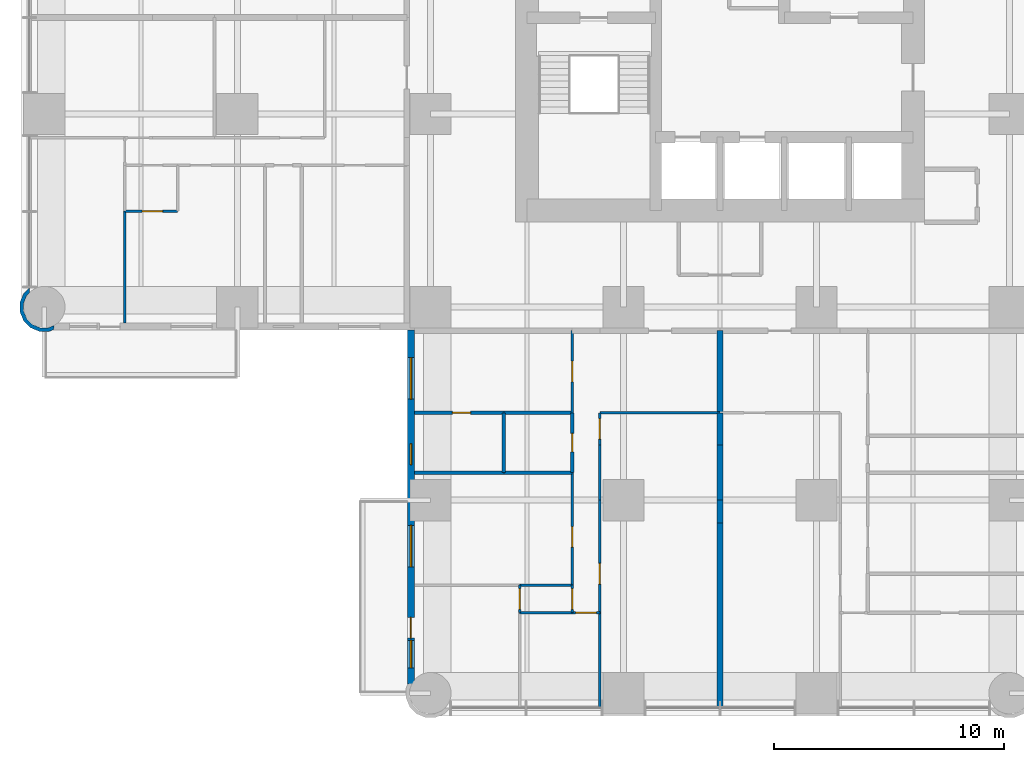
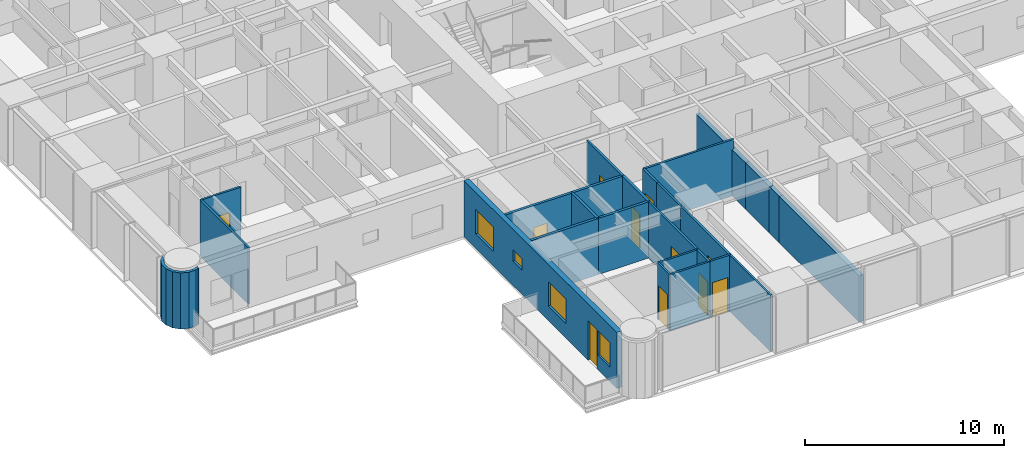
# One storey, part 7 of 17: 27 walls, 11 doors, 4 windows, 15 openings.
"""IFC4 building model written with IfcOpenShell, lengths in metres."""

from ifc_helpers import new_model, si_unit, direction, frame, frame_2d, origin, place, context, subcontext, project, spatial, polyline, rectangle, outline, extrude, material, layer, layer_set, type_object, element, fill, save


model = new_model("IFC4")

# Units and contexts
model_context = context("Model", 3, precision=1e-05, world=origin(), true_north=direction((0.0, 1.0)))
body_context = subcontext(model_context, "Body", "Model", "MODEL_VIEW")
ifc_project = project(units=[si_unit("LENGTHUNIT", "METRE"), si_unit("AREAUNIT", "SQUARE_METRE"), si_unit("VOLUMEUNIT", "CUBIC_METRE"), si_unit("PLANEANGLEUNIT", "RADIAN"), si_unit("MASSUNIT", "GRAM", prefix="KILO")], contexts=[model_context])

# Site, building, storey
site_placement = place(None, origin())
site = spatial("IfcSite", under=ifc_project, at=site_placement, CompositionType="ELEMENT")
building_placement = place(site_placement, origin())
building = spatial("IfcBuilding", under=site, at=building_placement, Name="Torre Alcanfor", CompositionType="ELEMENT")
storey_placement = place(building_placement, frame((0.0, 0.0, 41.699951171875)))
storey = spatial("IfcBuildingStorey", under=building, at=storey_placement, Name="L09", CompositionType="ELEMENT", Elevation=41.699951171875)

# Wall
ifc_material_1 = material(Name="Gypsum board on steel studs", Category="steel")
ifc_layer_1 = layer(ifc_material_1, 0.1201171875)
ifc_layer_set_1 = layer_set([ifc_layer_1], Name="Apartment partition 120")
wall_type_1 = type_object("IfcWallType", Name="Apartment partition 120", PredefinedType="PARTITIONING", material=ifc_layer_set_1)
wall_1_placement = place(storey_placement, frame((29.39990234375, 12.199951171875, 0.0), z_axis=(0.0, 0.0, 1.0), x_axis=(-1.0, 0.0, 0.0)))
element("IfcWall", 1, at=wall_1_placement, inside=storey, type_object=wall_type_1, Name="Partition L09-S2-ZAG / L09-S2-LAUND", PredefinedType="PARTITIONING", context=body_context, shape_type="SweptSolid", body=[
    extrude(rectangle(XDim=5.22900390625, YDim=0.1201171875, at=frame_2d((2.614501953125, 0.0))), origin(), (0.0, 0.0, 1.0), 3.449951171875),
])

# Wall, opening, door
wall_2_placement = place(storey_placement, frame((24.1708984375, 10.800048828125, 0.0), z_axis=(0.0, 0.0, 1.0), x_axis=(0.0, 1.0, 0.0)))
wall_2 = element("IfcWall", 2, at=wall_2_placement, inside=storey, type_object=wall_type_1, Name="Partition L09-S2-LAUND / L09-S2-HALL", PredefinedType="PARTITIONING", context=body_context, shape_type="SweptSolid", body=[
    extrude(rectangle(XDim=1.39990234375, YDim=0.1201171875, at=frame_2d((0.699951171875, 0.0))), origin(), (0.0, 0.0, 1.0), 3.449951171875),
])
opening_1_placement = place(wall_2_placement, frame((0.25, 0.0, 0.0)))
opening_1 = element("IfcOpeningElement", 3, at=opening_1_placement, cuts=wall_2, Name="Opening D-R1", PredefinedType="OPENING", context=body_context, shape_type="SweptSolid", body=[
    extrude(rectangle(XDim=0.89990234375, YDim=2.10009765625, at=frame_2d((0.449951171875, 1.050048828125))), frame((0.0, 0.070068359375, 0.0), z_axis=(0.0, -1.0, 0.0), x_axis=(1.0, 0.0, 0.0)), (0.0, 0.0, 1.0), 0.14013671875),
])
ifc_material_2 = material(Name="Timber", Category="wood")
door_type_1 = type_object("IfcDoorType", Name="Internal door 900x2100", OperationType="SINGLE_SWING_LEFT", PredefinedType="DOOR", material=ifc_material_2)
door_1_placement = place(opening_1_placement, frame((0.89990234375, 0.0, 0.0), z_axis=(0.0, 0.0, 1.0), x_axis=(-1.0, 0.0, 0.0)))
door_1 = element("IfcDoor", 4, at=door_1_placement, inside=storey, type_object=door_type_1, Name="Door L09-S2 laund", OperationType="SINGLE_SWING_RIGHT", OverallHeight=2.10009765625, OverallWidth=0.89990234375, PredefinedType="DOOR", context=body_context, shape_type="SweptSolid", body=[
    extrude(rectangle(XDim=0.89990234375, YDim=2.10009765625, at=frame_2d((0.449951171875, 1.050048828125))), frame((0.0, 0.025146484375, 0.0), z_axis=(0.0, -1.0, 0.0), x_axis=(1.0, 0.0, 0.0)), (0.0, 0.0, 1.0), 0.050048828125),
])
fill(opening_1, door_1)

# Wall
wall_3_placement = place(storey_placement, frame((24.1708984375, 8.39990234375, 0.0), z_axis=(0.0, 0.0, 1.0), x_axis=(0.0, 1.0, 0.0)))
element("IfcWall", 5, at=wall_3_placement, inside=storey, type_object=wall_type_1, Name="Partition L09-S2-KITCHEN / L09-S2-HALL", PredefinedType="PARTITIONING", context=body_context, shape_type="SweptSolid", body=[
    extrude(rectangle(XDim=2.400146484375, YDim=0.1201171875, at=frame_2d((1.2001953125, 0.0))), origin(), (0.0, 0.0, 1.0), 3.449951171875),
])

# Wall, opening, door
wall_4_placement = place(storey_placement, frame((24.1708984375, 3.5, 0.0), z_axis=(0.0, 0.0, 1.0), x_axis=(0.0, 1.0, 0.0)))
wall_4 = element("IfcWall", 6, at=wall_4_placement, inside=storey, type_object=wall_type_1, Name="Partition L09-S2-LIVING / L09-S2-HALL", PredefinedType="PARTITIONING", context=body_context, shape_type="SweptSolid", body=[
    extrude(rectangle(XDim=4.89990234375, YDim=0.1201171875, at=frame_2d((2.449951171875, 0.0))), origin(), (0.0, 0.0, 1.0), 3.449951171875),
])
opening_2_placement = place(wall_4_placement, frame((1.25, 0.0, 0.0)))
opening_2 = element("IfcOpeningElement", 7, at=opening_2_placement, cuts=wall_4, Name="Opening D-R1", PredefinedType="OPENING", context=body_context, shape_type="SweptSolid", body=[
    extrude(rectangle(XDim=0.89990234375, YDim=2.10009765625, at=frame_2d((0.449951171875, 1.050048828125))), frame((0.0, 0.070068359375, 0.0), z_axis=(0.0, -1.0, 0.0), x_axis=(1.0, 0.0, 0.0)), (0.0, 0.0, 1.0), 0.14013671875),
])
door_2_placement = place(opening_2_placement, frame((0.89990234375, 0.0, 0.0), z_axis=(0.0, 0.0, 1.0), x_axis=(-1.0, 0.0, 0.0)))
door_2 = element("IfcDoor", 8, at=door_2_placement, inside=storey, type_object=door_type_1, Name="Door L09-S2 living", OperationType="SINGLE_SWING_LEFT", OverallHeight=2.10009765625, OverallWidth=0.89990234375, PredefinedType="DOOR", context=body_context, shape_type="SweptSolid", body=[
    extrude(rectangle(XDim=0.89990234375, YDim=2.10009765625, at=frame_2d((0.449951171875, 1.050048828125))), frame((0.0, 0.025146484375, 0.0), z_axis=(0.0, -1.0, 0.0), x_axis=(1.0, 0.0, 0.0)), (0.0, 0.0, 1.0), 0.050048828125),
])
fill(opening_2, door_2)

# Wall
wall_5_placement = place(storey_placement, frame((24.1708984375, -0.64990234375, 0.0), z_axis=(0.0, 0.0, 1.0), x_axis=(0.0, 1.0, 0.0)))
element("IfcWall", 9, at=wall_5_placement, inside=storey, type_object=wall_type_1, Name="Partition L09-S2-LIVING / L09-S2-BED2", PredefinedType="PARTITIONING", context=body_context, shape_type="SweptSolid", body=[
    extrude(rectangle(XDim=4.14990234375, YDim=0.1201171875, at=frame_2d((2.074951171875, 0.0))), origin(), (0.0, 0.0, 1.0), 3.449951171875),
])

# Wall, opening, door
wall_6_placement = place(storey_placement, frame((22.970947265625, 12.199951171875, 0.0), z_axis=(0.0, 0.0, 1.0), x_axis=(0.0, 1.0, 0.0)))
wall_6 = element("IfcWall", 10, at=wall_6_placement, inside=storey, type_object=wall_type_1, Name="Partition L09-S2-HALL / L09-S2-SERV", PredefinedType="PARTITIONING", context=body_context, shape_type="SweptSolid", body=[
    extrude(rectangle(XDim=3.574951171875, YDim=0.1201171875, at=frame_2d((1.78759765625, 0.0))), origin(), (0.0, 0.0, 1.0), 3.449951171875),
])
opening_3_placement = place(wall_6_placement, frame((1.35009765625, 0.0, 0.0)))
opening_3 = element("IfcOpeningElement", 11, at=opening_3_placement, cuts=wall_6, Name="Opening D-R1", PredefinedType="OPENING", context=body_context, shape_type="SweptSolid", body=[
    extrude(rectangle(XDim=0.89990234375, YDim=2.10009765625, at=frame_2d((0.449951171875, 1.050048828125))), frame((0.0, 0.070068359375, 0.0), z_axis=(0.0, -1.0, 0.0), x_axis=(1.0, 0.0, 0.0)), (0.0, 0.0, 1.0), 0.14013671875),
])
door_3_placement = place(opening_3_placement, origin())
door_3 = element("IfcDoor", 12, at=door_3_placement, inside=storey, type_object=door_type_1, Name="Door L09-S2 serv", OperationType="SINGLE_SWING_RIGHT", OverallHeight=2.10009765625, OverallWidth=0.89990234375, PredefinedType="DOOR", context=body_context, shape_type="SweptSolid", body=[
    extrude(rectangle(XDim=0.89990234375, YDim=2.10009765625, at=frame_2d((0.449951171875, 1.050048828125))), frame((0.0, 0.02490234375, 0.0), z_axis=(0.0, -1.0, 0.0), x_axis=(1.0, 0.0, 0.0)), (0.0, 0.0, 1.0), 0.050048828125),
])
fill(opening_3, door_3)

wall_7_placement = place(storey_placement, frame((22.970947265625, 4.699951171875, 0.0), z_axis=(0.0, 0.0, 1.0), x_axis=(0.0, 1.0, 0.0)))
wall_7 = element("IfcWall", 13, at=wall_7_placement, inside=storey, type_object=wall_type_1, Name="Partition L09-S2-HALL / L09-S2-BED3", PredefinedType="PARTITIONING", context=body_context, shape_type="SweptSolid", body=[
    extrude(rectangle(XDim=4.900146484375, YDim=0.1201171875, at=frame_2d((2.4501953125, 0.0))), origin(), (0.0, 0.0, 1.0), 3.449951171875),
])
opening_4_placement = place(wall_7_placement, frame((1.64990234375, 0.0, 0.0)))
opening_4 = element("IfcOpeningElement", 14, at=opening_4_placement, cuts=wall_7, Name="Opening D-R1", PredefinedType="OPENING", context=body_context, shape_type="SweptSolid", body=[
    extrude(rectangle(XDim=0.89990234375, YDim=2.10009765625, at=frame_2d((0.449951171875, 1.050048828125))), frame((0.0, 0.070068359375, 0.0), z_axis=(0.0, -1.0, 0.0), x_axis=(1.0, 0.0, 0.0)), (0.0, 0.0, 1.0), 0.14013671875),
])
door_4_placement = place(opening_4_placement, origin())
door_4 = element("IfcDoor", 15, at=door_4_placement, inside=storey, type_object=door_type_1, Name="Door L09-S2 bed3", OperationType="SINGLE_SWING_LEFT", OverallHeight=2.10009765625, OverallWidth=0.89990234375, PredefinedType="DOOR", context=body_context, shape_type="SweptSolid", body=[
    extrude(rectangle(XDim=0.89990234375, YDim=2.10009765625, at=frame_2d((0.449951171875, 1.050048828125))), frame((0.0, 0.02490234375, 0.0), z_axis=(0.0, -1.0, 0.0), x_axis=(1.0, 0.0, 0.0)), (0.0, 0.0, 1.0), 0.050048828125),
])
fill(opening_4, door_4)

wall_8_placement = place(storey_placement, frame((22.970947265625, 3.5, 0.0), z_axis=(0.0, 0.0, 1.0), x_axis=(0.0, 1.0, 0.0)))
wall_8 = element("IfcWall", 16, at=wall_8_placement, inside=storey, type_object=wall_type_1, Name="Partition L09-S2-HALL / L09-S2-VEST", PredefinedType="PARTITIONING", context=body_context, shape_type="SweptSolid", body=[
    extrude(rectangle(XDim=1.199951171875, YDim=0.1201171875, at=frame_2d((0.60009765625, 0.0))), origin(), (0.0, 0.0, 1.0), 3.449951171875),
])
opening_5_placement = place(wall_8_placement, frame((0.14990234375, 0.0, 0.0)))
opening_5 = element("IfcOpeningElement", 17, at=opening_5_placement, cuts=wall_8, Name="Opening D-R1", PredefinedType="OPENING", context=body_context, shape_type="SweptSolid", body=[
    extrude(rectangle(XDim=0.89990234375, YDim=2.10009765625, at=frame_2d((0.449951171875, 1.050048828125))), frame((0.0, 0.070068359375, 0.0), z_axis=(0.0, -1.0, 0.0), x_axis=(1.0, 0.0, 0.0)), (0.0, 0.0, 1.0), 0.14013671875),
])
door_5_placement = place(opening_5_placement, origin())
door_5 = element("IfcDoor", 18, at=door_5_placement, inside=storey, type_object=door_type_1, Name="Door L09-S2 vest", OperationType="SINGLE_SWING_LEFT", OverallHeight=2.10009765625, OverallWidth=0.89990234375, PredefinedType="DOOR", context=body_context, shape_type="SweptSolid", body=[
    extrude(rectangle(XDim=0.89990234375, YDim=2.10009765625, at=frame_2d((0.449951171875, 1.050048828125))), frame((0.0, 0.02490234375, 0.0), z_axis=(0.0, -1.0, 0.0), x_axis=(1.0, 0.0, 0.0)), (0.0, 0.0, 1.0), 0.050048828125),
])
fill(opening_5, door_5)

wall_9_placement = place(storey_placement, frame((24.1708984375, 3.5, 0.0), z_axis=(0.0, 0.0, 1.0), x_axis=(-1.0, 0.0, 0.0)))
wall_9 = element("IfcWall", 19, at=wall_9_placement, inside=storey, type_object=wall_type_1, Name="Partition L09-S2-HALL / L09-S2-BED2", PredefinedType="PARTITIONING", context=body_context, shape_type="SweptSolid", body=[
    extrude(rectangle(XDim=1.199951171875, YDim=0.1201171875, at=frame_2d((0.60009765625, 0.0))), origin(), (0.0, 0.0, 1.0), 3.449951171875),
])
opening_6_placement = place(wall_9_placement, frame((0.15087890625, 0.0, 0.0)))
opening_6 = element("IfcOpeningElement", 20, at=opening_6_placement, cuts=wall_9, Name="Opening D-R1", PredefinedType="OPENING", context=body_context, shape_type="SweptSolid", body=[
    extrude(rectangle(XDim=0.89990234375, YDim=2.10009765625, at=frame_2d((0.449951171875, 1.050048828125))), frame((0.0, 0.070068359375, 0.0), z_axis=(0.0, -1.0, 0.0), x_axis=(1.0, 0.0, 0.0)), (0.0, 0.0, 1.0), 0.14013671875),
])
door_6_placement = place(opening_6_placement, origin())
door_6 = element("IfcDoor", 21, at=door_6_placement, inside=storey, type_object=door_type_1, Name="Door L09-S2 bed2", OperationType="SINGLE_SWING_LEFT", OverallHeight=2.10009765625, OverallWidth=0.89990234375, PredefinedType="DOOR", context=body_context, shape_type="SweptSolid", body=[
    extrude(rectangle(XDim=0.89990234375, YDim=2.10009765625, at=frame_2d((0.449951171875, 1.050048828125))), frame((0.0, 0.02490234375, 0.0), z_axis=(0.0, -1.0, 0.0), x_axis=(1.0, 0.0, 0.0)), (0.0, 0.0, 1.0), 0.050048828125),
])
fill(opening_6, door_6)

# Walls
for number, where, z_axis, x_axis, name in (
    (22, (22.970947265625, 4.699951171875, 0.0), (0.0, 0.0, 1.0), (-1.0, 0.0, 0.0), "Partition L09-S2-BED3 / L09-S2-VEST"),
    (23, (22.970947265625, 3.5, 0.0), (0.0, 0.0, 1.0), (-1.0, 0.0, 0.0), "Partition L09-S2-VEST / L09-S2-BED2"),
):
    element("IfcWall", number, at=place(storey_placement, frame(where, z_axis=z_axis, x_axis=x_axis)), inside=storey, type_object=wall_type_1, Name=name, PredefinedType="PARTITIONING", context=body_context, shape_type="SweptSolid", body=[
        extrude(rectangle(XDim=2.284912109375, YDim=0.1201171875, at=frame_2d((1.142578125, 0.0))), origin(), (0.0, 0.0, 1.0), 3.449951171875),
    ])

# Wall, opening, door
wall_10_placement = place(storey_placement, frame((20.68603515625, 3.5, 0.0), z_axis=(0.0, 0.0, 1.0), x_axis=(0.0, 1.0, 0.0)))
wall_10 = element("IfcWall", 24, at=wall_10_placement, inside=storey, type_object=wall_type_1, Name="Partition L09-S2-VEST / L09-S2-MASTER", PredefinedType="PARTITIONING", context=body_context, shape_type="SweptSolid", body=[
    extrude(rectangle(XDim=1.199951171875, YDim=0.1201171875, at=frame_2d((0.60009765625, 0.0))), origin(), (0.0, 0.0, 1.0), 3.449951171875),
])
opening_7_placement = place(wall_10_placement, frame((0.14990234375, 0.0, 0.0)))
opening_7 = element("IfcOpeningElement", 25, at=opening_7_placement, cuts=wall_10, Name="Opening D-R1", PredefinedType="OPENING", context=body_context, shape_type="SweptSolid", body=[
    extrude(rectangle(XDim=0.89990234375, YDim=2.10009765625, at=frame_2d((0.449951171875, 1.050048828125))), frame((0.0, 0.070068359375, 0.0), z_axis=(0.0, -1.0, 0.0), x_axis=(1.0, 0.0, 0.0)), (0.0, 0.0, 1.0), 0.14013671875),
])
door_7_placement = place(opening_7_placement, frame((0.89990234375, 0.0, 0.0), z_axis=(0.0, 0.0, 1.0), x_axis=(-1.0, 0.0, 0.0)))
door_7 = element("IfcDoor", 26, at=door_7_placement, inside=storey, type_object=door_type_1, Name="Door L09-S2 master", OperationType="SINGLE_SWING_RIGHT", OverallHeight=2.10009765625, OverallWidth=0.89990234375, PredefinedType="DOOR", context=body_context, shape_type="SweptSolid", body=[
    extrude(rectangle(XDim=0.89990234375, YDim=2.10009765625, at=frame_2d((0.449951171875, 1.050048828125))), frame((0.0, 0.025146484375, 0.0), z_axis=(0.0, -1.0, 0.0), x_axis=(1.0, 0.0, 0.0)), (0.0, 0.0, 1.0), 0.050048828125),
])
fill(opening_7, door_7)

wall_11_placement = place(storey_placement, frame((3.5, 20.970947265625, 0.0), z_axis=(0.0, 0.0, 1.0), x_axis=(1.0, 0.0, 0.0)))
wall_11 = element("IfcWall", 27, at=wall_11_placement, inside=storey, type_object=wall_type_1, Name="Partition L09-W1-MASTER / L09-W1-VEST", PredefinedType="PARTITIONING", context=body_context, shape_type="SweptSolid", body=[
    extrude(rectangle(XDim=2.300048828125, YDim=0.1201171875, at=frame_2d((1.14990234375, 0.0))), origin(), (0.0, 0.0, 1.0), 3.449951171875),
])
opening_8_placement = place(wall_11_placement, frame((0.75, 0.0, 0.0)))
opening_8 = element("IfcOpeningElement", 28, at=opening_8_placement, cuts=wall_11, Name="Opening D-R1", PredefinedType="OPENING", context=body_context, shape_type="SweptSolid", body=[
    extrude(rectangle(XDim=0.89990234375, YDim=2.10009765625, at=frame_2d((0.449951171875, 1.050048828125))), frame((0.0, 0.070068359375, 0.0), z_axis=(0.0, -1.0, 0.0), x_axis=(1.0, 0.0, 0.0)), (0.0, 0.0, 1.0), 0.14013671875),
])
door_8_placement = place(opening_8_placement, origin())
door_8 = element("IfcDoor", 29, at=door_8_placement, inside=storey, type_object=door_type_1, Name="Door L09-W1 master", OperationType="SINGLE_SWING_RIGHT", OverallHeight=2.10009765625, OverallWidth=0.89990234375, PredefinedType="DOOR", context=body_context, shape_type="SweptSolid", body=[
    extrude(rectangle(XDim=0.89990234375, YDim=2.10009765625, at=frame_2d((0.449951171875, 1.050048828125))), frame((0.0, 0.02490234375, 0.0), z_axis=(0.0, -1.0, 0.0), x_axis=(1.0, 0.0, 0.0)), (0.0, 0.0, 1.0), 0.050048828125),
])
fill(opening_8, door_8)

# Wall
wall_12_placement = place(storey_placement, frame((3.5, 16.10009765625, 0.0), z_axis=(0.0, 0.0, 1.0), x_axis=(0.0, 1.0, 0.0)))
element("IfcWall", 30, at=wall_12_placement, inside=storey, type_object=wall_type_1, Name="Partition L09-W1-MASTER / L09-W1-WGARD", PredefinedType="PARTITIONING", context=body_context, shape_type="SweptSolid", body=[
    extrude(rectangle(XDim=4.870849609375, YDim=0.1201171875, at=frame_2d((2.435546875, 0.0))), origin(), (0.0, 0.0, 1.0), 3.449951171875),
])

# Wall, openings, door, windows
ifc_material_3 = material(Name="Limestone cladding", Category="masonry")
ifc_layer_2 = layer(ifc_material_3, 0.0400390625, Name="Facing")
ifc_material_4 = material(Name="Ventilated air cavity")
ifc_layer_3 = layer(ifc_material_4, 0.02001953125, ventilated=True, Name="Ventilated joint")
ifc_material_5 = material(Name="Mineral wool insulation", Category="insulation")
ifc_layer_4 = layer(ifc_material_5, 0.10009765625, Name="Insulation")
ifc_material_6 = material(Name="Concrete f'c 35 MPa", Category="concrete")
ifc_layer_5 = layer(ifc_material_6, 0.139892578125, Name="Backing")
ifc_layer_set_2 = layer_set([ifc_layer_2, ifc_layer_3, ifc_layer_4, ifc_layer_5], Name="External wall stone-clad 300")
wall_type_2 = type_object("IfcWallType", Name="External wall stone-clad 300", PredefinedType="SOLIDWALL", material=ifc_layer_set_2)
wall_13_placement = place(storey_placement, frame((15.949951171875, 15.800048828125, 0.0), z_axis=(0.0, 0.0, 1.0), x_axis=(0.0, -1.0, 0.0)))
wall_13 = element("IfcWall", 31, at=wall_13_placement, inside=storey, type_object=wall_type_2, Name="External wall L09 4", PredefinedType="SOLIDWALL", context=body_context, shape_type="SweptSolid", body=[
    extrude(rectangle(XDim=15.400146484375, YDim=0.300048828125, at=frame_2d((7.7001953125, 0.0))), origin(), (0.0, 0.0, 1.0), 3.449951171875),
])
opening_9_placement = place(wall_13_placement, frame((1.199951171875, 0.0, 0.89990234375)))
opening_9 = element("IfcOpeningElement", 32, at=opening_9_placement, cuts=wall_13, Name="Opening W2", PredefinedType="OPENING", context=body_context, shape_type="SweptSolid", body=[
    extrude(rectangle(XDim=1.800048828125, YDim=1.5, at=frame_2d((0.89990234375, 0.75))), frame((0.0, 0.159912109375, 0.0), z_axis=(0.0, -1.0, 0.0), x_axis=(1.0, 0.0, 0.0)), (0.0, 0.0, 1.0), 0.320068359375),
])
opening_10_placement = place(wall_13_placement, frame((4.949951171875, 0.0, 1.5)))
opening_10 = element("IfcOpeningElement", 33, at=opening_10_placement, cuts=wall_13, Name="Opening W3", PredefinedType="OPENING", context=body_context, shape_type="SweptSolid", body=[
    extrude(rectangle(XDim=0.89990234375, YDim=0.699951171875, at=frame_2d((0.449951171875, 0.35009765625))), frame((0.0, 0.159912109375, 0.0), z_axis=(0.0, -1.0, 0.0), x_axis=(1.0, 0.0, 0.0)), (0.0, 0.0, 1.0), 0.320068359375),
])
opening_11_placement = place(wall_13_placement, frame((8.5, 0.0, 0.89990234375)))
opening_11 = element("IfcOpeningElement", 34, at=opening_11_placement, cuts=wall_13, Name="Opening W2", PredefinedType="OPENING", context=body_context, shape_type="SweptSolid", body=[
    extrude(rectangle(XDim=1.800048828125, YDim=1.5, at=frame_2d((0.89990234375, 0.75))), frame((0.0, 0.159912109375, 0.0), z_axis=(0.0, -1.0, 0.0), x_axis=(1.0, 0.0, 0.0)), (0.0, 0.0, 1.0), 0.320068359375),
])
opening_12_placement = place(wall_13_placement, frame((12.5, 0.0, 0.0)))
opening_12 = element("IfcOpeningElement", 35, at=opening_12_placement, cuts=wall_13, Name="Opening D-B1", PredefinedType="OPENING", context=body_context, shape_type="SweptSolid", body=[
    extrude(rectangle(XDim=0.89990234375, YDim=2.39990234375, at=frame_2d((0.449951171875, 1.199951171875))), frame((0.0, 0.159912109375, 0.0), z_axis=(0.0, -1.0, 0.0), x_axis=(1.0, 0.0, 0.0)), (0.0, 0.0, 1.0), 0.320068359375),
])
opening_13_placement = place(wall_13_placement, frame((13.5, 0.0, 0.89990234375)))
opening_13 = element("IfcOpeningElement", 36, at=opening_13_placement, cuts=wall_13, Name="Opening W4", PredefinedType="OPENING", context=body_context, shape_type="SweptSolid", body=[
    extrude(rectangle(XDim=1.199951171875, YDim=1.5, at=frame_2d((0.60009765625, 0.75))), frame((0.0, 0.159912109375, 0.0), z_axis=(0.0, -1.0, 0.0), x_axis=(1.0, 0.0, 0.0)), (0.0, 0.0, 1.0), 0.320068359375),
])
ifc_material_7 = material(Name="Aluminium and glass", Category="aluminium")
door_type_2 = type_object("IfcDoorType", Name="Balcony door glazed 900x2400", OperationType="SINGLE_SWING_LEFT", PredefinedType="DOOR", material=ifc_material_7)
door_9_placement = place(opening_12_placement, origin())
door_9 = element("IfcDoor", 37, at=door_9_placement, inside=storey, type_object=door_type_2, Name="Balcony door L09-S2", OperationType="SINGLE_SWING_LEFT", OverallHeight=2.39990234375, OverallWidth=0.89990234375, PredefinedType="DOOR", context=body_context, shape_type="SweptSolid", body=[
    extrude(rectangle(XDim=0.89990234375, YDim=2.39990234375, at=frame_2d((0.449951171875, 1.199951171875))), frame((0.0, 0.02490234375, 0.0), z_axis=(0.0, -1.0, 0.0), x_axis=(1.0, 0.0, 0.0)), (0.0, 0.0, 1.0), 0.050048828125),
])
fill(opening_12, door_9)
ifc_material_8 = material(Name="Aluminium frame with clear double glazing", Category="aluminium")
window_type_1 = type_object("IfcWindowType", Name="Window bathroom 900x700", PartitioningType="SINGLE_PANEL", PredefinedType="WINDOW", material=ifc_material_8)
window_1_placement = place(opening_10_placement, origin())
window_1 = element("IfcWindow", 38, at=window_1_placement, inside=storey, type_object=window_type_1, Name="Window W3 L09-S2", OverallHeight=0.699951171875, OverallWidth=0.89990234375, PartitioningType="SINGLE_PANEL", PredefinedType="WINDOW", context=body_context, shape_type="SweptSolid", body=[
    extrude(rectangle(XDim=0.89990234375, YDim=0.699951171875, at=frame_2d((0.449951171875, 0.35009765625))), frame((0.0, 0.030029296875, 0.0), z_axis=(0.0, -1.0, 0.0), x_axis=(1.0, 0.0, 0.0)), (0.0, 0.0, 1.0), 0.06005859375),
])
fill(opening_10, window_1)
ifc_material_9 = material(Name="Aluminium frame with clear double glazing", Category="aluminium")
window_type_2 = type_object("IfcWindowType", Name="Window bedroom 1200x1500", PartitioningType="SINGLE_PANEL", PredefinedType="WINDOW", material=ifc_material_9)
window_2_placement = place(opening_13_placement, origin())
window_2 = element("IfcWindow", 39, at=window_2_placement, inside=storey, type_object=window_type_2, Name="Window W4 L09-S2", OverallHeight=1.5, OverallWidth=1.199951171875, PartitioningType="SINGLE_PANEL", PredefinedType="WINDOW", context=body_context, shape_type="SweptSolid", body=[
    extrude(rectangle(XDim=1.199951171875, YDim=1.5, at=frame_2d((0.60009765625, 0.75))), frame((0.0, 0.030029296875, 0.0), z_axis=(0.0, -1.0, 0.0), x_axis=(1.0, 0.0, 0.0)), (0.0, 0.0, 1.0), 0.06005859375),
])
fill(opening_13, window_2)
ifc_material_10 = material(Name="Aluminium frame with clear double glazing", Category="aluminium")
window_type_3 = type_object("IfcWindowType", Name="Window bedroom 1800x1500", PartitioningType="SINGLE_PANEL", PredefinedType="WINDOW", material=ifc_material_10)
window_3_placement = place(opening_9_placement, origin())
window_3 = element("IfcWindow", 40, at=window_3_placement, inside=storey, type_object=window_type_3, Name="Window W2 L09-S2", OverallHeight=1.5, OverallWidth=1.800048828125, PartitioningType="SINGLE_PANEL", PredefinedType="WINDOW", context=body_context, shape_type="SweptSolid", body=[
    extrude(rectangle(XDim=1.800048828125, YDim=1.5, at=frame_2d((0.89990234375, 0.75))), frame((0.0, 0.030029296875, 0.0), z_axis=(0.0, -1.0, 0.0), x_axis=(1.0, 0.0, 0.0)), (0.0, 0.0, 1.0), 0.06005859375),
])
fill(opening_9, window_3)
window_4_placement = place(opening_11_placement, origin())
window_4 = element("IfcWindow", 41, at=window_4_placement, inside=storey, type_object=window_type_3, Name="Window W2 L09-S2", OverallHeight=1.5, OverallWidth=1.800048828125, PartitioningType="SINGLE_PANEL", PredefinedType="WINDOW", context=body_context, shape_type="SweptSolid", body=[
    extrude(rectangle(XDim=1.800048828125, YDim=1.5, at=frame_2d((0.89990234375, 0.75))), frame((0.0, 0.030029296875, 0.0), z_axis=(0.0, -1.0, 0.0), x_axis=(1.0, 0.0, 0.0)), (0.0, 0.0, 1.0), 0.06005859375),
])
fill(opening_11, window_4)

# Walls
ifc_material_11 = material(Name="Concrete block masonry, hollow blocks NMX-C-404 9 MPa", Category="masonry")
ifc_layer_6 = layer(ifc_material_11, 0.25)
ifc_layer_set_3 = layer_set([ifc_layer_6], Name="Party wall 250 EI 60")
wall_type_3 = type_object("IfcWallType", Name="Party wall 250 EI 60", PredefinedType="PARTITIONING", material=ifc_layer_set_3)
wall_14_placement = place(storey_placement, frame((29.39990234375, 15.77490234375, 0.0), z_axis=(0.0, 0.0, 1.0), x_axis=(0.0, -1.0, 0.0)))
element("IfcWall", 42, at=wall_14_placement, inside=storey, type_object=wall_type_3, Name="Partition L09-S1-ZAG / L09-S2-ZAG", PredefinedType="PARTITIONING", context=body_context, shape_type="SweptSolid", body=[
    extrude(rectangle(XDim=3.574951171875, YDim=0.25, at=frame_2d((1.78759765625, 0.0))), origin(), (0.0, 0.0, 1.0), 2.84814453125),
])
wall_15_placement = place(storey_placement, frame((29.39990234375, 12.199951171875, 0.0), z_axis=(0.0, 0.0, 1.0), x_axis=(0.0, -1.0, 0.0)))
element("IfcWall", 43, at=wall_15_placement, inside=storey, type_object=wall_type_3, Name="Partition L09-S1-KITCHEN / L09-S2-LAUND", PredefinedType="PARTITIONING", context=body_context, shape_type="SweptSolid", body=[
    extrude(rectangle(XDim=1.39990234375, YDim=0.25, at=frame_2d((0.699951171875, 0.0))), origin(), (0.0, 0.0, 1.0), 2.84814453125),
])
wall_16_placement = place(storey_placement, frame((29.39990234375, 10.800048828125, 0.0), z_axis=(0.0, 0.0, 1.0), x_axis=(0.0, -1.0, 0.0)))
element("IfcWall", 44, at=wall_16_placement, inside=storey, type_object=wall_type_3, Name="Partition L09-S1-KITCHEN / L09-S2-KITCHEN", PredefinedType="PARTITIONING", context=body_context, shape_type="SweptSolid", body=[
    extrude(rectangle(XDim=2.400146484375, YDim=0.25, at=frame_2d((1.2001953125, 0.0))), origin(), (0.0, 0.0, 1.0), 2.84814453125),
])
wall_17_placement = place(storey_placement, frame((29.39990234375, 8.39990234375, 0.0), z_axis=(0.0, 0.0, 1.0), x_axis=(0.0, -1.0, 0.0)))
element("IfcWall", 45, at=wall_17_placement, inside=storey, type_object=wall_type_3, Name="Partition L09-S1-KITCHEN / L09-S2-LIVING", PredefinedType="PARTITIONING", context=body_context, shape_type="SweptSolid", body=[
    extrude(rectangle(XDim=1.0, YDim=0.25, at=frame_2d((0.5, 0.0))), origin(), (0.0, 0.0, 1.0), 2.84814453125),
])
wall_18_placement = place(storey_placement, frame((29.39990234375, 7.39990234375, 0.0), z_axis=(0.0, 0.0, 1.0), x_axis=(0.0, -1.0, 0.0)))
element("IfcWall", 46, at=wall_18_placement, inside=storey, type_object=wall_type_3, Name="Partition L09-S1-LIVING / L09-S2-LIVING", PredefinedType="PARTITIONING", context=body_context, shape_type="SweptSolid", body=[
    extrude(rectangle(XDim=8.0498046875, YDim=0.25, at=frame_2d((4.02490234375, 0.0))), origin(), (0.0, 0.0, 1.0), 2.84814453125),
])
ifc_layer_7 = layer(ifc_material_3, 0.0400390625, Name="Facing")
ifc_layer_8 = layer(ifc_material_4, 0.02001953125, ventilated=True, Name="Ventilated joint")
ifc_layer_9 = layer(ifc_material_5, 0.10009765625, Name="Insulation")
ifc_layer_10 = layer(ifc_material_6, 0.139892578125, Name="Backing")
ifc_layer_set_4 = layer_set([ifc_layer_7, ifc_layer_8, ifc_layer_9, ifc_layer_10], Name="Rounded corner pier stone-clad 300")
wall_type_4 = type_object("IfcWallType", Name="Rounded corner pier stone-clad 300", PredefinedType="SOLIDWALL", material=ifc_layer_set_4)
wall_19_placement = place(storey_placement, frame((-0.610519256, 17.56659392, 0.0), z_axis=(0.0, 0.0, 1.0), x_axis=(-0.926129809145, -0.377204953059, 0.0)))
element("IfcWall", 47, at=wall_19_placement, inside=storey, type_object=wall_type_4, Name="Corner pier L09 14", PredefinedType="SOLIDWALL", context=body_context, shape_type="SweptSolid", body=[
    extrude(outline(polyline([(-0.2694320048751383, 2.0171861008885523), (-0.3700526678318482, 1.8406866495551875), (-0.10232913830325796, 1.8423628952563784), (0.22959433821660935, 1.7071732294627), (0.4846648868960458, 1.4551341488862783), (0.6237723089217844, 1.1248457008471362), (0.6256501657648526, 0.7663568996565957), (0.49046049997117414, 0.4344334231367283), (0.2387396163581813, 0.17949688931473468), (0.09014163443691028, 0.11691195088889664), (0.010851237809964043, -0.07776523799639344), (0.024417592436116662, -0.08329070117597158), (0.32956848036437986, 0.045229547111777235), (0.4801338191951393, 0.19743274075920003), (0.4990091877024963, 0.1926447125875501), (0.5075557555746872, 0.2252788612711387), (0.6260018077392729, 0.3452223941390844), (0.7850430562581303, 0.7357073014618439), (0.782472278983801, 1.15721841463542), (0.6187061231885674, 1.5460551039454697), (0.3187132761612602, 1.8424884313203629), (-0.07154552525106339, 2.0014375887862275), (-0.2401131340992967, 2.00049972024067), (-0.2694320048751383, 2.0171861008885523)])), origin(), (0.0, 0.0, 1.0), 3.449951171875),
])

# Wall, opening, door
ifc_material_12 = material(Name="Cement board on steel studs", Category="steel")
ifc_layer_11 = layer(ifc_material_12, 0.14990234375)
ifc_layer_set_5 = layer_set([ifc_layer_11], Name="Wet area partition 150")
wall_type_5 = type_object("IfcWallType", Name="Wet area partition 150", PredefinedType="PARTITIONING", material=ifc_layer_set_5)
wall_20_placement = place(storey_placement, frame((22.970947265625, 9.60009765625, 0.0), z_axis=(0.0, 0.0, 1.0), x_axis=(0.0, 1.0, 0.0)))
wall_20 = element("IfcWall", 48, at=wall_20_placement, inside=storey, type_object=wall_type_5, Name="Partition L09-S2-HALL / L09-S2-BATH1", PredefinedType="PARTITIONING", context=body_context, shape_type="SweptSolid", body=[
    extrude(rectangle(XDim=2.599853515625, YDim=0.14990234375, at=frame_2d((1.2998046875, 0.0))), origin(), (0.0, 0.0, 1.0), 3.449951171875),
])
opening_14_placement = place(wall_20_placement, frame((0.89990234375, 0.0, 0.0)))
opening_14 = element("IfcOpeningElement", 49, at=opening_14_placement, cuts=wall_20, Name="Opening D-R2", PredefinedType="OPENING", context=body_context, shape_type="SweptSolid", body=[
    extrude(rectangle(XDim=0.800048828125, YDim=2.10009765625, at=frame_2d((0.39990234375, 1.050048828125))), frame((0.0, 0.0849609375, 0.0), z_axis=(0.0, -1.0, 0.0), x_axis=(1.0, 0.0, 0.0)), (0.0, 0.0, 1.0), 0.169921875),
])
ifc_material_13 = material(Name="Timber", Category="wood")
door_type_3 = type_object("IfcDoorType", Name="Bathroom door 800x2100", OperationType="SINGLE_SWING_LEFT", PredefinedType="DOOR", material=ifc_material_13)
door_10_placement = place(opening_14_placement, origin())
door_10 = element("IfcDoor", 50, at=door_10_placement, inside=storey, type_object=door_type_3, Name="Door L09-S2 bath1", OperationType="SINGLE_SWING_LEFT", OverallHeight=2.10009765625, OverallWidth=0.800048828125, PredefinedType="DOOR", context=body_context, shape_type="SweptSolid", body=[
    extrude(rectangle(XDim=0.800048828125, YDim=2.10009765625, at=frame_2d((0.39990234375, 1.050048828125))), frame((0.0, 0.02490234375, 0.0), z_axis=(0.0, -1.0, 0.0), x_axis=(1.0, 0.0, 0.0)), (0.0, 0.0, 1.0), 0.050048828125),
])
fill(opening_14, door_10)

# Wall
wall_21_placement = place(storey_placement, frame((22.970947265625, 12.199951171875, 0.0), z_axis=(0.0, 0.0, 1.0), x_axis=(-1.0, 0.0, 0.0)))
element("IfcWall", 51, at=wall_21_placement, inside=storey, type_object=wall_type_5, Name="Partition L09-S2-SERV / L09-S2-BATH1", PredefinedType="PARTITIONING", context=body_context, shape_type="SweptSolid", body=[
    extrude(rectangle(XDim=2.970947265625, YDim=0.14990234375, at=frame_2d((1.4853515625, 0.0))), origin(), (0.0, 0.0, 1.0), 3.449951171875),
])

# Wall, opening, door
wall_22_placement = place(storey_placement, frame((20.0, 12.199951171875, 0.0), z_axis=(0.0, 0.0, 1.0), x_axis=(-1.0, 0.0, 0.0)))
wall_22 = element("IfcWall", 52, at=wall_22_placement, inside=storey, type_object=wall_type_5, Name="Partition L09-S2-SERV / L09-S2-SBATH", PredefinedType="PARTITIONING", context=body_context, shape_type="SweptSolid", body=[
    extrude(rectangle(XDim=3.89990234375, YDim=0.14990234375, at=frame_2d((1.949951171875, 0.0))), origin(), (0.0, 0.0, 1.0), 3.449951171875),
])
opening_15_placement = place(wall_22_placement, frame((1.449951171875, 0.0, 0.0)))
opening_15 = element("IfcOpeningElement", 53, at=opening_15_placement, cuts=wall_22, Name="Opening D-R2", PredefinedType="OPENING", context=body_context, shape_type="SweptSolid", body=[
    extrude(rectangle(XDim=0.800048828125, YDim=2.10009765625, at=frame_2d((0.39990234375, 1.050048828125))), frame((0.0, 0.0849609375, 0.0), z_axis=(0.0, -1.0, 0.0), x_axis=(1.0, 0.0, 0.0)), (0.0, 0.0, 1.0), 0.169921875),
])
door_11_placement = place(opening_15_placement, origin())
door_11 = element("IfcDoor", 54, at=door_11_placement, inside=storey, type_object=door_type_3, Name="Door L09-S2 sbath", OperationType="SINGLE_SWING_LEFT", OverallHeight=2.10009765625, OverallWidth=0.800048828125, PredefinedType="DOOR", context=body_context, shape_type="SweptSolid", body=[
    extrude(rectangle(XDim=0.800048828125, YDim=2.10009765625, at=frame_2d((0.39990234375, 1.050048828125))), frame((0.0, 0.02490234375, 0.0), z_axis=(0.0, -1.0, 0.0), x_axis=(1.0, 0.0, 0.0)), (0.0, 0.0, 1.0), 0.050048828125),
])
fill(opening_15, door_11)

# Walls
wall_23_placement = place(storey_placement, frame((20.0, 9.60009765625, 0.0), z_axis=(0.0, 0.0, 1.0), x_axis=(0.0, 1.0, 0.0)))
element("IfcWall", 55, at=wall_23_placement, inside=storey, type_object=wall_type_5, Name="Partition L09-S2-BATH1 / L09-S2-SBATH", PredefinedType="PARTITIONING", context=body_context, shape_type="SweptSolid", body=[
    extrude(rectangle(XDim=2.599853515625, YDim=0.14990234375, at=frame_2d((1.2998046875, 0.0))), origin(), (0.0, 0.0, 1.0), 3.449951171875),
])
wall_24_placement = place(storey_placement, frame((22.970947265625, 9.60009765625, 0.0), z_axis=(0.0, 0.0, 1.0), x_axis=(-1.0, 0.0, 0.0)))
element("IfcWall", 56, at=wall_24_placement, inside=storey, type_object=wall_type_5, Name="Partition L09-S2-BATH1 / L09-S2-BED3", PredefinedType="PARTITIONING", context=body_context, shape_type="SweptSolid", body=[
    extrude(rectangle(XDim=2.970947265625, YDim=0.14990234375, at=frame_2d((1.4853515625, 0.0))), origin(), (0.0, 0.0, 1.0), 3.449951171875),
])
wall_25_placement = place(storey_placement, frame((20.0, 9.60009765625, 0.0), z_axis=(0.0, 0.0, 1.0), x_axis=(-1.0, 0.0, 0.0)))
element("IfcWall", 57, at=wall_25_placement, inside=storey, type_object=wall_type_5, Name="Partition L09-S2-SBATH / L09-S2-BED3", PredefinedType="PARTITIONING", context=body_context, shape_type="SweptSolid", body=[
    extrude(rectangle(XDim=3.89990234375, YDim=0.14990234375, at=frame_2d((1.949951171875, 0.0))), origin(), (0.0, 0.0, 1.0), 3.449951171875),
])

save(model, "model.ifc")
